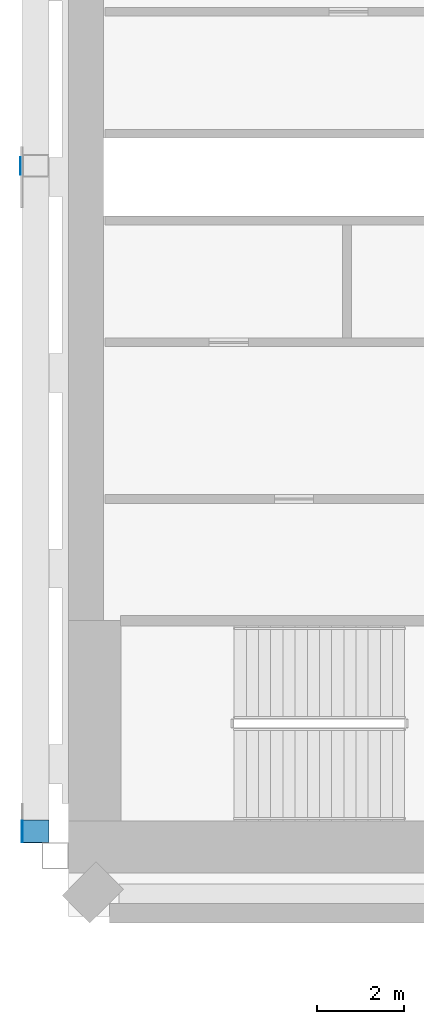
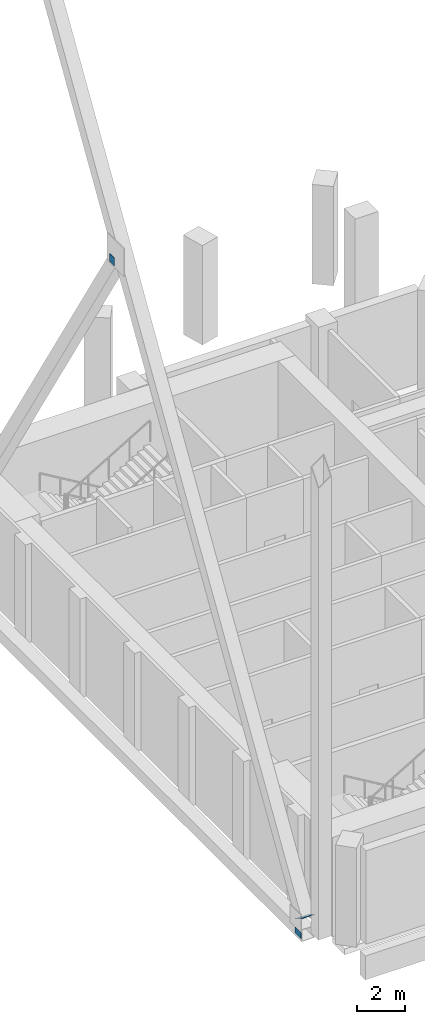
# One storey, part 7 of 12: 3 discrete accessories.
"""IFC4 building model written with IfcOpenShell, lengths in metres."""

from ifc_helpers import new_model, si_unit, direction, frame, origin, origin_2d, place, context, subcontext, project, spatial, rectangle, extrude, material, material_profile, profile_set, type_object, element, save


model = new_model("IFC4")

# Units and contexts
model_context = context("Model", 3, precision=1e-05, world=origin(), true_north=direction((0.0, 1.0)))
body_context = subcontext(model_context, "Body", "Model", "MODEL_VIEW")
ifc_project = project(units=[si_unit("LENGTHUNIT", "METRE"), si_unit("AREAUNIT", "SQUARE_METRE"), si_unit("VOLUMEUNIT", "CUBIC_METRE"), si_unit("PLANEANGLEUNIT", "RADIAN"), si_unit("MASSUNIT", "GRAM", prefix="KILO")], contexts=[model_context])

# Site, building, storey
site_placement = place(None, origin())
site = spatial("IfcSite", under=ifc_project, at=site_placement, CompositionType="ELEMENT")
building_placement = place(site_placement, origin())
building = spatial("IfcBuilding", under=site, at=building_placement, Name="Cypress Arch Tower", CompositionType="ELEMENT")
storey_placement = place(building_placement, frame((0.0, 0.0, 238.39990234375)))
storey = spatial("IfcBuildingStorey", under=building, at=storey_placement, Name="L53", CompositionType="ELEMENT", Elevation=238.39990234375)

# Discrete accessories
ifc_material_1 = material(Name="Steel ASTM A992", Category="steel")
ifc_material_profile_1 = material_profile(ifc_material_1, rectangle(XDim=0.609619140625, YDim=0.609619140625, at=origin_2d()), Name="PL 20 610x610")
ifc_profile_set_1 = profile_set([ifc_material_profile_1], Name="Steel ASTM A992")
discrete_accessory_type_1 = type_object("IfcDiscreteAccessoryType", Name="End cap plate 610x610x20 Steel ASTM A992", PredefinedType="ANCHORPLATE", material=ifc_profile_set_1)
discrete_accessory_1_placement = place(storey_placement, frame((-30.7548828125, -15.036376953125, 0.7236328125), z_axis=(0.0, -0.523418105875, -0.852075986308), x_axis=(1.0, 0.0, 0.0)))
element("IfcDiscreteAccessory", 1, at=discrete_accessory_1_placement, inside=storey, type_object=discrete_accessory_type_1, Name="End cap plate west bracing 5", PredefinedType="ANCHORPLATE", context=body_context, shape_type="SweptSolid", body=[
    extrude(rectangle(XDim=0.609619140625, YDim=0.609619140625, at=origin_2d()), origin(), (0.0, 0.0, 1.0), 0.02001953125),
])
ifc_material_2 = material(Name="Steel ASTM A992", Category="steel")
ifc_material_profile_2 = material_profile(ifc_material_2, rectangle(XDim=0.5, YDim=0.300048828125, at=origin_2d()), Name="PL 20 500x300")
ifc_profile_set_2 = profile_set([ifc_material_profile_2], Name="Steel ASTM A992")
discrete_accessory_type_2 = type_object("IfcDiscreteAccessoryType", Name="West bracing chord end plate 500x300x20 Steel ASTM A992", PredefinedType="ANCHORPLATE", material=ifc_profile_set_2)
discrete_accessory_2_placement = place(storey_placement, frame((-31.0595703125, -15.045166015625, 0.0), z_axis=(-1.0, 0.0, 0.0), x_axis=(0.0, -1.0, 0.0)))
element("IfcDiscreteAccessory", 2, at=discrete_accessory_2_placement, inside=storey, type_object=discrete_accessory_type_2, Name="End plate west bracing chord 5S", PredefinedType="ANCHORPLATE", context=body_context, shape_type="SweptSolid", body=[
    extrude(rectangle(XDim=0.5, YDim=0.300048828125, at=origin_2d()), origin(), (0.0, 0.0, 1.0), 0.02001953125),
])
ifc_material_3 = material(Name="Steel ASTM A992", Category="steel")
ifc_material_profile_3 = material_profile(ifc_material_3, rectangle(XDim=0.39990234375, YDim=0.39990234375, at=origin_2d()), Name="PL 20 400x400")
ifc_profile_set_3 = profile_set([ifc_material_profile_3], Name="Steel ASTM A992")
discrete_accessory_type_3 = type_object("IfcDiscreteAccessoryType", Name="West bracing diagonal end plate 400x400x20 Steel ASTM A992", PredefinedType="ANCHORPLATE", material=ifc_profile_set_3)
discrete_accessory_3_placement = place(storey_placement, frame((-31.099609375, 0.259033203125, 24.631103515625), z_axis=(-1.0, 0.0, 0.0), x_axis=(0.0, -1.0, 0.0)))
element("IfcDiscreteAccessory", 3, at=discrete_accessory_3_placement, inside=storey, type_object=discrete_accessory_type_3, Name="End plate west bracing diagonal 5C", PredefinedType="ANCHORPLATE", context=body_context, shape_type="SweptSolid", body=[
    extrude(rectangle(XDim=0.39990234375, YDim=0.39990234375, at=origin_2d()), origin(), (0.0, 0.0, 1.0), 0.02001953125),
])

save(model, "model.ifc")
